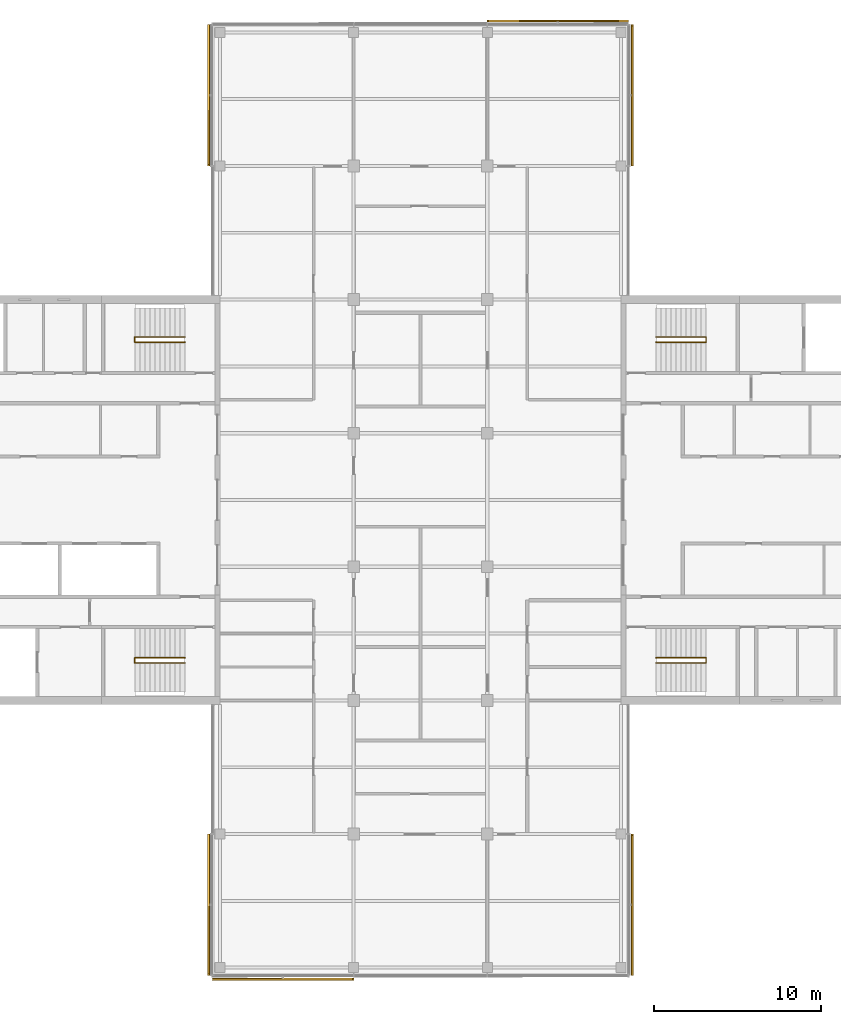
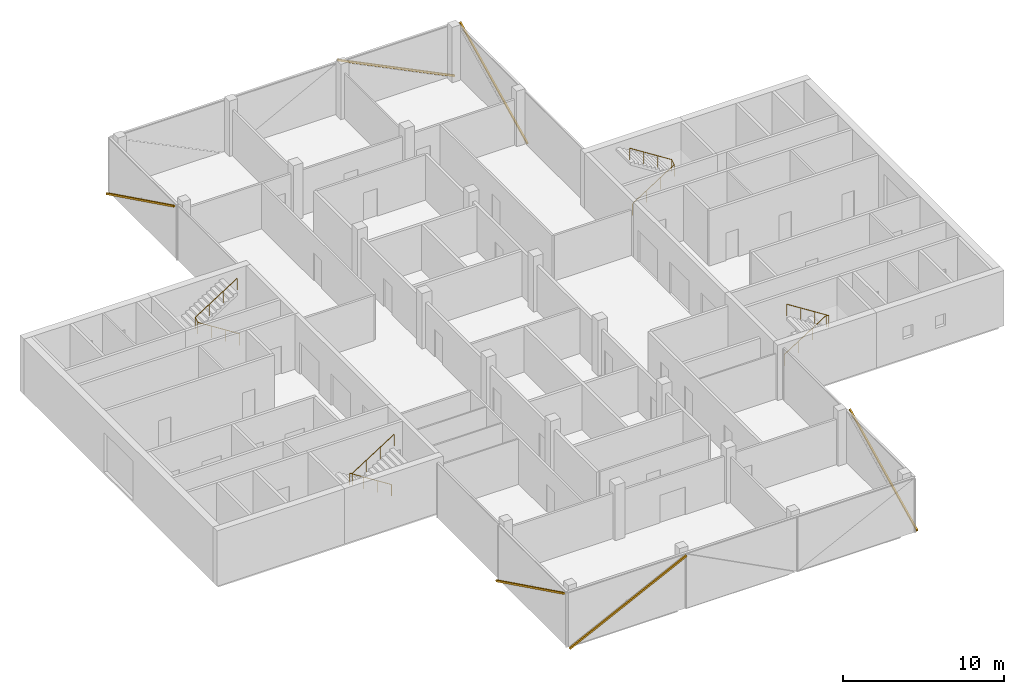
# One storey, part 16 of 16: 6 shading devices, 4 railings, 6 elements without a shape of their own.
"""IFC4 building model written with IfcOpenShell, lengths in metres."""

from ifc_helpers import new_model, si_unit, direction, frame, origin, origin_2d, place, context, subcontext, project, spatial, rectangle, circle, extrude, material, material_profile, profile_set, type_object, element, aggregate, save


model = new_model("IFC4")

# Units and contexts
model_context = context("Model", 3, precision=1e-05, world=origin(), true_north=direction((0.0, 1.0)))
body_context = subcontext(model_context, "Body", "Model", "MODEL_VIEW")
ifc_project = project(units=[si_unit("LENGTHUNIT", "METRE"), si_unit("AREAUNIT", "SQUARE_METRE"), si_unit("VOLUMEUNIT", "CUBIC_METRE"), si_unit("PLANEANGLEUNIT", "RADIAN"), si_unit("MASSUNIT", "GRAM", prefix="KILO")], contexts=[model_context])

# Site, building, storey
site_placement = place(None, origin())
site = spatial("IfcSite", under=ifc_project, at=site_placement, CompositionType="ELEMENT")
building_placement = place(site_placement, origin())
building = spatial("IfcBuilding", under=site, at=building_placement, Name="Crosswind Convention Tower", CompositionType="ELEMENT")
storey_placement = place(building_placement, frame((0.0, 0.0, 282.89990234375)))
storey = spatial("IfcBuildingStorey", under=building, at=storey_placement, Name="L61", CompositionType="ELEMENT", Elevation=282.89990234375)

# Railings
ifc_material_1 = material(Name="Stainless steel", Category="steel")
railing_type = type_object("IfcRailingType", Name="Stair handrail 900", PredefinedType="HANDRAIL", material=ifc_material_1)
railing_1_placement = place(storey_placement, frame((139.10009765625, 109.43994140625, 0.19091796875)))
element("IfcRailing", 1, at=railing_1_placement, inside=storey, type_object=railing_type, Name="Stair ST1 handrail L61", PredefinedType="HANDRAIL", context=body_context, shape_type="SweptSolid", body=[
    extrude(circle(Radius=0.02392578125, at=origin_2d()), frame((0.0, 0.0, 0.8759765625), z_axis=(0.843650179428, 0.0, 0.536893261973), x_axis=(0.0, 1.0, 0.0)), (0.0, 0.0, 1.0), 3.555908203125),
    extrude(circle(Radius=0.02392578125, at=origin_2d()), frame((3.0, 0.0, 2.78515625), z_axis=(0.0, 0.858819504967, 0.512278301208), x_axis=(-1.0, 0.0, 0.0)), (0.0, 0.0, 1.0), 0.372802734375),
    extrude(circle(Radius=0.02392578125, at=origin_2d()), frame((3.0, 0.320068359375, 2.97607421875), z_axis=(-0.843650179428, 0.0, 0.536893261973), x_axis=(0.0, -1.0, 0.0)), (0.0, 0.0, 1.0), 3.555908203125),
    extrude(circle(Radius=0.02099609375, at=origin_2d()), origin(), (0.0, 0.0, 1.0), 0.851806640625),
    extrude(circle(Radius=0.02099609375, at=origin_2d()), frame((1.0, 0.0, 0.636474609375)), (0.0, 0.0, 1.0), 0.851806640625),
    extrude(circle(Radius=0.02099609375, at=origin_2d()), frame((2.0, 0.0, 1.272705078125)), (0.0, 0.0, 1.0), 0.851806640625),
    extrude(circle(Radius=0.02099609375, at=origin_2d()), frame((3.0, 0.0, 1.9091796875)), (0.0, 0.0, 1.0), 0.851806640625),
    extrude(circle(Radius=0.02099609375, at=origin_2d()), frame((3.0, 0.320068359375, 2.10009765625)), (0.0, 0.0, 1.0), 0.851806640625),
    extrude(circle(Radius=0.02099609375, at=origin_2d()), frame((2.0, 0.320068359375, 2.736572265625)), (0.0, 0.0, 1.0), 0.851806640625),
    extrude(circle(Radius=0.02099609375, at=origin_2d()), frame((1.0, 0.320068359375, 3.372802734375)), (0.0, 0.0, 1.0), 0.851806640625),
    extrude(circle(Radius=0.02099609375, at=origin_2d()), frame((0.0, 0.320068359375, 4.00927734375)), (0.0, 0.0, 1.0), 0.851806640625),
])
railing_2_placement = place(storey_placement, frame((139.10009765625, 90.56005859375, 0.19091796875)))
element("IfcRailing", 2, at=railing_2_placement, inside=storey, type_object=railing_type, Name="Stair ST2 handrail L61", PredefinedType="HANDRAIL", context=body_context, shape_type="SweptSolid", body=[
    extrude(circle(Radius=0.02392578125, at=origin_2d()), frame((0.0, 0.0, 0.8759765625), z_axis=(0.843650179428, 0.0, 0.536893261973), x_axis=(0.0, 1.0, 0.0)), (0.0, 0.0, 1.0), 3.555908203125),
    extrude(circle(Radius=0.02392578125, at=origin_2d()), frame((3.0, 0.0, 2.78515625), z_axis=(0.0, -0.858819504967, 0.512278301208), x_axis=(1.0, 0.0, 0.0)), (0.0, 0.0, 1.0), 0.372802734375),
    extrude(circle(Radius=0.02392578125, at=origin_2d()), frame((3.0, -0.320068359375, 2.97607421875), z_axis=(-0.843650179428, 0.0, 0.536893261973), x_axis=(0.0, -1.0, 0.0)), (0.0, 0.0, 1.0), 3.555908203125),
    extrude(circle(Radius=0.02099609375, at=origin_2d()), origin(), (0.0, 0.0, 1.0), 0.851806640625),
    extrude(circle(Radius=0.02099609375, at=origin_2d()), frame((1.0, 0.0, 0.636474609375)), (0.0, 0.0, 1.0), 0.851806640625),
    extrude(circle(Radius=0.02099609375, at=origin_2d()), frame((2.0, 0.0, 1.272705078125)), (0.0, 0.0, 1.0), 0.851806640625),
    extrude(circle(Radius=0.02099609375, at=origin_2d()), frame((3.0, 0.0, 1.9091796875)), (0.0, 0.0, 1.0), 0.851806640625),
    extrude(circle(Radius=0.02099609375, at=origin_2d()), frame((3.0, -0.320068359375, 2.10009765625)), (0.0, 0.0, 1.0), 0.851806640625),
    extrude(circle(Radius=0.02099609375, at=origin_2d()), frame((2.0, -0.320068359375, 2.736572265625)), (0.0, 0.0, 1.0), 0.851806640625),
    extrude(circle(Radius=0.02099609375, at=origin_2d()), frame((1.0, -0.320068359375, 3.372802734375)), (0.0, 0.0, 1.0), 0.851806640625),
    extrude(circle(Radius=0.02099609375, at=origin_2d()), frame((0.0, -0.320068359375, 4.00927734375)), (0.0, 0.0, 1.0), 0.851806640625),
])
railing_3_placement = place(storey_placement, frame((110.89990234375, 90.56005859375, 0.19091796875)))
element("IfcRailing", 3, at=railing_3_placement, inside=storey, type_object=railing_type, Name="Stair ST3 handrail L61", PredefinedType="HANDRAIL", context=body_context, shape_type="SweptSolid", body=[
    extrude(circle(Radius=0.02392578125, at=origin_2d()), frame((0.0, 0.0, 0.8759765625), z_axis=(-0.843650179428, 0.0, 0.536893261973), x_axis=(0.0, -1.0, 0.0)), (0.0, 0.0, 1.0), 3.555908203125),
    extrude(circle(Radius=0.02392578125, at=origin_2d()), frame((-3.0, 0.0, 2.78515625), z_axis=(0.0, -0.858819504967, 0.512278301208), x_axis=(1.0, 0.0, 0.0)), (0.0, 0.0, 1.0), 0.372802734375),
    extrude(circle(Radius=0.02392578125, at=origin_2d()), frame((-3.0, -0.320068359375, 2.97607421875), z_axis=(0.843650179428, 0.0, 0.536893261973), x_axis=(0.0, 1.0, 0.0)), (0.0, 0.0, 1.0), 3.555908203125),
    extrude(circle(Radius=0.02099609375, at=origin_2d()), origin(), (0.0, 0.0, 1.0), 0.851806640625),
    extrude(circle(Radius=0.02099609375, at=origin_2d()), frame((-1.0, 0.0, 0.636474609375)), (0.0, 0.0, 1.0), 0.851806640625),
    extrude(circle(Radius=0.02099609375, at=origin_2d()), frame((-2.0, 0.0, 1.272705078125)), (0.0, 0.0, 1.0), 0.851806640625),
    extrude(circle(Radius=0.02099609375, at=origin_2d()), frame((-3.0, 0.0, 1.9091796875)), (0.0, 0.0, 1.0), 0.851806640625),
    extrude(circle(Radius=0.02099609375, at=origin_2d()), frame((-3.0, -0.320068359375, 2.10009765625)), (0.0, 0.0, 1.0), 0.851806640625),
    extrude(circle(Radius=0.02099609375, at=origin_2d()), frame((-2.0, -0.320068359375, 2.736572265625)), (0.0, 0.0, 1.0), 0.851806640625),
    extrude(circle(Radius=0.02099609375, at=origin_2d()), frame((-1.0, -0.320068359375, 3.372802734375)), (0.0, 0.0, 1.0), 0.851806640625),
    extrude(circle(Radius=0.02099609375, at=origin_2d()), frame((0.0, -0.320068359375, 4.00927734375)), (0.0, 0.0, 1.0), 0.851806640625),
])
railing_4_placement = place(storey_placement, frame((110.89990234375, 109.43994140625, 0.19091796875)))
element("IfcRailing", 4, at=railing_4_placement, inside=storey, type_object=railing_type, Name="Stair ST4 handrail L61", PredefinedType="HANDRAIL", context=body_context, shape_type="SweptSolid", body=[
    extrude(circle(Radius=0.02392578125, at=origin_2d()), frame((0.0, 0.0, 0.8759765625), z_axis=(-0.843650179428, 0.0, 0.536893261973), x_axis=(0.0, -1.0, 0.0)), (0.0, 0.0, 1.0), 3.555908203125),
    extrude(circle(Radius=0.02392578125, at=origin_2d()), frame((-3.0, 0.0, 2.78515625), z_axis=(0.0, 0.858819504967, 0.512278301208), x_axis=(-1.0, 0.0, 0.0)), (0.0, 0.0, 1.0), 0.372802734375),
    extrude(circle(Radius=0.02392578125, at=origin_2d()), frame((-3.0, 0.320068359375, 2.97607421875), z_axis=(0.843650179428, 0.0, 0.536893261973), x_axis=(0.0, 1.0, 0.0)), (0.0, 0.0, 1.0), 3.555908203125),
    extrude(circle(Radius=0.02099609375, at=origin_2d()), origin(), (0.0, 0.0, 1.0), 0.851806640625),
    extrude(circle(Radius=0.02099609375, at=origin_2d()), frame((-1.0, 0.0, 0.636474609375)), (0.0, 0.0, 1.0), 0.851806640625),
    extrude(circle(Radius=0.02099609375, at=origin_2d()), frame((-2.0, 0.0, 1.272705078125)), (0.0, 0.0, 1.0), 0.851806640625),
    extrude(circle(Radius=0.02099609375, at=origin_2d()), frame((-3.0, 0.0, 1.9091796875)), (0.0, 0.0, 1.0), 0.851806640625),
    extrude(circle(Radius=0.02099609375, at=origin_2d()), frame((-3.0, 0.320068359375, 2.10009765625)), (0.0, 0.0, 1.0), 0.851806640625),
    extrude(circle(Radius=0.02099609375, at=origin_2d()), frame((-2.0, 0.320068359375, 2.736572265625)), (0.0, 0.0, 1.0), 0.851806640625),
    extrude(circle(Radius=0.02099609375, at=origin_2d()), frame((-1.0, 0.320068359375, 3.372802734375)), (0.0, 0.0, 1.0), 0.851806640625),
    extrude(circle(Radius=0.02099609375, at=origin_2d()), frame((0.0, 0.320068359375, 4.00927734375)), (0.0, 0.0, 1.0), 0.851806640625),
])

# Curtain wall, shading device
ifc_material_2 = material(Name="Aluminium unitised curtain wall", Category="aluminium")
curtain_wall_type = type_object("IfcCurtainWallType", Name="OFFICE UNITISED WALL 220", PredefinedType="USERDEFINED", material=ifc_material_2)
curtain_wall_1_placement = place(storey_placement, origin())
curtain_wall_1 = element("IfcCurtainWall", 5, at=curtain_wall_1_placement, inside=storey, type_object=curtain_wall_type, Name="CW3 L61 N-E 1", ObjectType="UNITISED", PredefinedType="USERDEFINED")
ifc_material_3 = material(Name="Extruded terracotta", Category="masonry")
ifc_material_profile = material_profile(ifc_material_3, rectangle(XDim=0.110107421875, YDim=0.1298828125, at=origin_2d()), Name="TC 110X130")
ifc_profile_set = profile_set([ifc_material_profile], Name="Extruded terracotta")
shading_device_type = type_object("IfcShadingDeviceType", Name="TERRACOTTA BAGUETTE 130X110", PredefinedType="USERDEFINED", material=ifc_profile_set)
shading_device_1_placement = place(storey_placement, frame((137.680908203125, 120.034912109375, -0.2998046875), z_axis=(0.0, 0.897198049762, 0.441628417907), x_axis=(-1.0, 0.0, 0.0)))
shading_device_1 = element("IfcShadingDevice", 6, at=shading_device_1_placement, type_object=shading_device_type, Name="CW3 terracotta baguette 1", ObjectType="BAGUETTE", PredefinedType="USERDEFINED", context=body_context, shape_type="SweptSolid", body=[
    extrude(rectangle(XDim=0.110107421875, YDim=0.1298828125, at=origin_2d()), origin(), (0.0, 0.0, 1.0), 9.3515625),
])
aggregate(curtain_wall_1, [shading_device_1])

curtain_wall_2_placement = place(storey_placement, origin())
curtain_wall_2 = element("IfcCurtainWall", 7, at=curtain_wall_2_placement, inside=storey, type_object=curtain_wall_type, Name="CW3 L61 N-TIP 1", ObjectType="UNITISED", PredefinedType="USERDEFINED")
shading_device_2_placement = place(storey_placement, frame((137.425048828125, 128.680908203125, -0.2998046875), z_axis=(-0.897198049762, 0.0, 0.441628417907), x_axis=(0.0, -1.0, 0.0)))
shading_device_2 = element("IfcShadingDevice", 8, at=shading_device_2_placement, type_object=shading_device_type, Name="CW3 terracotta baguette 1", ObjectType="BAGUETTE", PredefinedType="USERDEFINED", context=body_context, shape_type="SweptSolid", body=[
    extrude(rectangle(XDim=0.110107421875, YDim=0.1298828125, at=origin_2d()), origin(), (0.0, 0.0, 1.0), 9.3515625),
])
aggregate(curtain_wall_2, [shading_device_2])

curtain_wall_3_placement = place(storey_placement, origin())
curtain_wall_3 = element("IfcCurtainWall", 9, at=curtain_wall_3_placement, inside=storey, type_object=curtain_wall_type, Name="CW3 L61 N-W 1", ObjectType="UNITISED", PredefinedType="USERDEFINED")
shading_device_3_placement = place(storey_placement, frame((112.319091796875, 128.425048828125, -0.2998046875), z_axis=(0.0, -0.897198049762, 0.441628417907), x_axis=(1.0, 0.0, 0.0)))
shading_device_3 = element("IfcShadingDevice", 10, at=shading_device_3_placement, type_object=shading_device_type, Name="CW3 terracotta baguette 1", ObjectType="BAGUETTE", PredefinedType="USERDEFINED", context=body_context, shape_type="SweptSolid", body=[
    extrude(rectangle(XDim=0.110107421875, YDim=0.1298828125, at=origin_2d()), origin(), (0.0, 0.0, 1.0), 9.3515625),
])
aggregate(curtain_wall_3, [shading_device_3])

curtain_wall_4_placement = place(storey_placement, origin())
curtain_wall_4 = element("IfcCurtainWall", 11, at=curtain_wall_4_placement, inside=storey, type_object=curtain_wall_type, Name="CW3 L61 S-W 1", ObjectType="UNITISED", PredefinedType="USERDEFINED")
shading_device_4_placement = place(storey_placement, frame((112.319091796875, 79.965087890625, -0.2998046875), z_axis=(0.0, -0.897198049762, 0.441628417907), x_axis=(1.0, 0.0, 0.0)))
shading_device_4 = element("IfcShadingDevice", 12, at=shading_device_4_placement, type_object=shading_device_type, Name="CW3 terracotta baguette 1", ObjectType="BAGUETTE", PredefinedType="USERDEFINED", context=body_context, shape_type="SweptSolid", body=[
    extrude(rectangle(XDim=0.110107421875, YDim=0.1298828125, at=origin_2d()), origin(), (0.0, 0.0, 1.0), 9.3515625),
])
aggregate(curtain_wall_4, [shading_device_4])

curtain_wall_5_placement = place(storey_placement, origin())
curtain_wall_5 = element("IfcCurtainWall", 13, at=curtain_wall_5_placement, inside=storey, type_object=curtain_wall_type, Name="CW3 L61 S-TIP 1", ObjectType="UNITISED", PredefinedType="USERDEFINED")
shading_device_5_placement = place(storey_placement, frame((112.574951171875, 71.319091796875, -0.2998046875), z_axis=(0.897198049762, 0.0, 0.441628417907), x_axis=(0.0, 1.0, 0.0)))
shading_device_5 = element("IfcShadingDevice", 14, at=shading_device_5_placement, type_object=shading_device_type, Name="CW3 terracotta baguette 1", ObjectType="BAGUETTE", PredefinedType="USERDEFINED", context=body_context, shape_type="SweptSolid", body=[
    extrude(rectangle(XDim=0.110107421875, YDim=0.1298828125, at=origin_2d()), origin(), (0.0, 0.0, 1.0), 9.3515625),
])
aggregate(curtain_wall_5, [shading_device_5])

curtain_wall_6_placement = place(storey_placement, origin())
curtain_wall_6 = element("IfcCurtainWall", 15, at=curtain_wall_6_placement, inside=storey, type_object=curtain_wall_type, Name="CW3 L61 S-E 1", ObjectType="UNITISED", PredefinedType="USERDEFINED")
shading_device_6_placement = place(storey_placement, frame((137.680908203125, 71.574951171875, -0.2998046875), z_axis=(0.0, 0.897198049762, 0.441628417907), x_axis=(-1.0, 0.0, 0.0)))
shading_device_6 = element("IfcShadingDevice", 16, at=shading_device_6_placement, type_object=shading_device_type, Name="CW3 terracotta baguette 1", ObjectType="BAGUETTE", PredefinedType="USERDEFINED", context=body_context, shape_type="SweptSolid", body=[
    extrude(rectangle(XDim=0.110107421875, YDim=0.1298828125, at=origin_2d()), origin(), (0.0, 0.0, 1.0), 9.3515625),
])
aggregate(curtain_wall_6, [shading_device_6])

save(model, "model.ifc")
